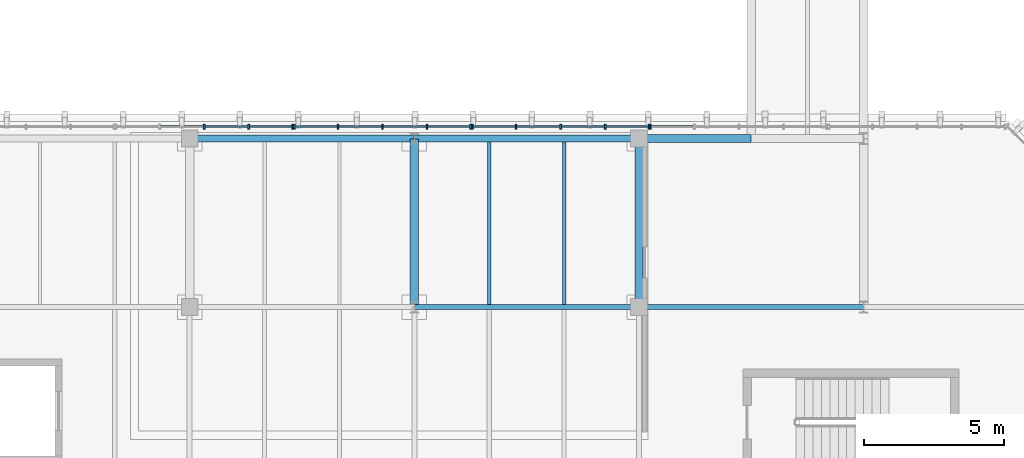
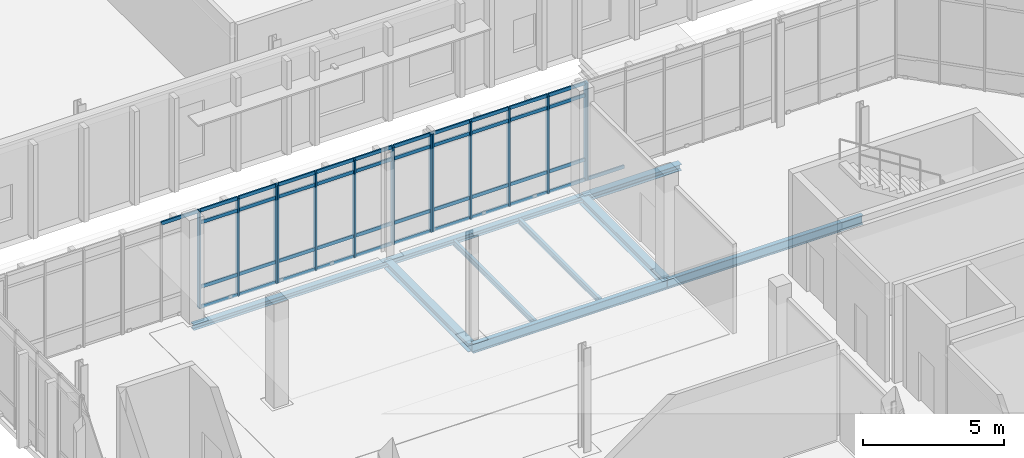
# One storey, part 16 of 62: 56 members, 9 beams, 4 elements without a shape of their own.
"""IFC4 building model written with IfcOpenShell, lengths in metres."""

import ifcopenshell
import ifcopenshell.guid

model = None  # the IFC model being written
_history = None  # IfcOwnerHistory: only IFC2X3 demands one
_inside = {}  # id of a spatial element -> (the spatial element, [elements in it])
_under = {}  # id of a project, library or spatial element -> (it, [spatial elements below it])
_declared = {}  # id of a project -> (the project, [libraries it declares])
_typed = {}  # id of a type object -> (the type object, [elements of that type])
_made_of = {}  # id of a material, layer set ... -> (it, [elements and type objects made of it])


def new_model(schema):
    """Start an empty IFC model of exactly this schema.

    Asked for "IFC4X3", IfcOpenShell would pick the latest addendum, in which some entities
    have other attributes; the version numbers below select the first issue.
    IFC2X3 requires an IfcOwnerHistory on every rooted entity: one is made here for all.
    """
    global model, _history
    if schema == "IFC4X3":
        model = ifcopenshell.file(schema_version=(4, 3, 0, 0))
    else:
        model = ifcopenshell.file(schema=schema)
    _inside.clear()
    _under.clear()
    _declared.clear()
    _typed.clear()
    _made_of.clear()
    _history = None
    if model.schema == "IFC2X3":
        org = make("IfcOrganization", Name="unknown")
        user = make(
            "IfcPersonAndOrganization",
            ThePerson=make("IfcPerson", FamilyName="unknown"),
            TheOrganization=org,
        )
        app = make(
            "IfcApplication",
            ApplicationDeveloper=org,
            Version="unknown",
            ApplicationFullName="unknown",
            ApplicationIdentifier="unknown",
        )
        _history = make(
            "IfcOwnerHistory",
            OwningUser=user,
            OwningApplication=app,
            ChangeAction="ADDED",
            CreationDate=0,
        )
    return model


def make(cls, **values):
    """One entity of the class cls with the attributes given. An attribute that is None is left unset."""
    return model.create_entity(
        cls, **{name: value for name, value in values.items() if value is not None}
    )


def rooted(cls, **values):
    """An entity with a GlobalId (a new one), such as an element, a storey or a relation."""
    return make(cls, GlobalId=ifcopenshell.guid.new(), OwnerHistory=_history, **values)


def si_unit(unit_type, name, prefix=None):
    """IfcSIUnit, for example si_unit("LENGTHUNIT", "METRE", prefix="MILLI")."""
    return make("IfcSIUnit", UnitType=unit_type, Prefix=prefix, Name=name)


def assignment(units):
    """IfcUnitAssignment: the units of a project."""
    return None if units is None else make("IfcUnitAssignment", Units=units)


def point(xyz):
    """IfcCartesianPoint."""
    return None if xyz is None else make("IfcCartesianPoint", Coordinates=xyz)


def direction(xyz):
    """IfcDirection."""
    return None if xyz is None else make("IfcDirection", DirectionRatios=xyz)


def frame(location, z_axis=None, x_axis=None):
    """IfcAxis2Placement3D, a coordinate frame: its origin and axes. An axis left out is left unset."""
    return make(
        "IfcAxis2Placement3D",
        Location=point(location),
        Axis=direction(z_axis),
        RefDirection=direction(x_axis),
    )


def frame_2d(location, x_axis=None):
    """IfcAxis2Placement2D, a coordinate frame in the plane: its origin and x axis."""
    return make(
        "IfcAxis2Placement2D", Location=point(location), RefDirection=direction(x_axis)
    )


def origin():
    """The frame at (0, 0, 0) with its axes left unset."""
    return frame((0.0, 0.0, 0.0))


def origin_2d():
    """The frame at (0, 0) in the plane with its x axis left unset."""
    return frame_2d((0.0, 0.0))


def place(relative_to, where):
    """IfcLocalPlacement: puts the frame where relative to a parent placement (None: the world)."""
    return make(
        "IfcLocalPlacement", PlacementRelTo=relative_to, RelativePlacement=where
    )


def context(
    kind, dimensions, precision=None, world=None, true_north=None, identifier=None
):
    """IfcGeometricRepresentationContext, for example the 3D "Model" context."""
    return make(
        "IfcGeometricRepresentationContext",
        ContextIdentifier=identifier,
        ContextType=kind,
        CoordinateSpaceDimension=dimensions,
        Precision=precision,
        WorldCoordinateSystem=world,
        TrueNorth=true_north,
    )


def subcontext(parent, identifier, kind, view, scale=None):
    """IfcGeometricRepresentationSubContext, for example "Body" below "Model"."""
    return make(
        "IfcGeometricRepresentationSubContext",
        ContextIdentifier=identifier,
        ContextType=kind,
        ParentContext=parent,
        TargetScale=scale,
        TargetView=view,
    )


def project(units=None, contexts=None):
    """IfcProject with its units and contexts."""
    return rooted(
        "IfcProject",
        Name="project",
        RepresentationContexts=contexts,
        UnitsInContext=assignment(units),
    )


def spatial(cls, under=None, at=None, **own):
    """A site, building, storey or space (cls), placed at a placement, below another one or the project."""
    s = rooted(cls, ObjectPlacement=at, **own)
    if under is not None:
        _under.setdefault(under.id(), (under, []))[1].append(s)
    return s


def profile(cls, at=None, kind="AREA", **sizes):
    """A parametric profile (cls). Its sizes go by their IFC names, for example OverallWidth=200.0."""
    return make(cls, ProfileType=kind, Position=at, **sizes)


def rectangle(**sizes):
    """IfcRectangleProfileDef."""
    return profile("IfcRectangleProfileDef", **sizes)


def i_section(**sizes):
    """IfcIShapeProfileDef."""
    return profile("IfcIShapeProfileDef", **sizes)


def extrude(swept, where, along, depth):
    """IfcExtrudedAreaSolid: the profile swept, set in the frame where, extruded along a direction by depth."""
    return make(
        "IfcExtrudedAreaSolid",
        SweptArea=swept,
        Position=where,
        ExtrudedDirection=direction(along),
        Depth=depth,
    )


def shape(context_of_items, identifier, shape_type, items):
    """IfcShapeRepresentation: the items that make up one representation, for example the "Body"."""
    return make(
        "IfcShapeRepresentation",
        ContextOfItems=context_of_items,
        RepresentationIdentifier=identifier,
        RepresentationType=shape_type,
        Items=items,
    )


def material(Name=None, Category=None):
    """IfcMaterial."""
    return make("IfcMaterial", Name=Name, Category=Category)


def material_profile(
    of_material, cross_section, Name=None, Category=None, Priority=None
):
    """IfcMaterialProfile: a cross section and its material."""
    return make(
        "IfcMaterialProfile",
        Name=Name,
        Material=of_material,
        Profile=cross_section,
        Priority=Priority,
        Category=Category,
    )


def profile_set(profiles, Name=None, composite=None):
    """IfcMaterialProfileSet."""
    return make(
        "IfcMaterialProfileSet",
        Name=Name,
        MaterialProfiles=profiles,
        CompositeProfile=composite,
    )


def made_of(thing, what):
    """Note that an element or type object is made of a material, layer set ...; save() writes the relation."""
    if what is not None:
        _made_of.setdefault(what.id(), (what, []))[1].append(thing)
    return thing


def type_object(cls, material=None, **own):
    """A type object (cls), such as IfcWallType, which elements share."""
    return made_of(rooted(cls, **own), material)


def element(
    cls,
    number,
    at=None,
    inside=None,
    cuts=None,
    type_object=None,
    material=None,
    context=None,
    identifier="Body",
    shape_type=None,
    held_by="IfcProductDefinitionShape",
    body=None,
    shapes=None,
    **own,
):
    """One element of the class cls, such as IfcWall. Its Tag is "e" and its number.

    at: its placement. inside: the storey or other place that contains it. cuts: it is an
    opening in that element (IfcRelVoidsElement). A single representation is given by context,
    identifier, shape_type and body (its items); several are given by shapes. held_by: the class
    of the entity that holds the representations. save() writes the other relations.
    """
    e = rooted(cls, Tag="e%d" % number, ObjectPlacement=at, **own)
    if body is not None:
        shapes = [shape(context, identifier, shape_type, body)]
    if shapes is not None:
        e.Representation = make(held_by, Representations=shapes)
    if inside is not None:
        _inside.setdefault(inside.id(), (inside, []))[1].append(e)
    if cuts is not None:
        rooted(
            "IfcRelVoidsElement", RelatingBuildingElement=cuts, RelatedOpeningElement=e
        )
    if type_object is not None:
        _typed.setdefault(type_object.id(), (type_object, []))[1].append(e)
    return made_of(e, material)


def aggregate(whole, parts):
    """IfcRelAggregates: a whole, such as a stair, and the parts it consists of."""
    return rooted("IfcRelAggregates", RelatingObject=whole, RelatedObjects=parts)


def save(model, path):
    """Write the relations noted so far, then the file.

    IfcRelAggregates (storeys below a building ...), IfcRelContainedInSpatialStructure (elements
    in a storey), IfcRelDefinesByType, IfcRelAssociatesMaterial and IfcRelDeclares: one each for
    every whole, place, type object, material and project.
    """
    for whole, parts in _under.values():
        aggregate(whole, parts)
    for where, things in _inside.values():
        rooted(
            "IfcRelContainedInSpatialStructure",
            RelatedElements=things,
            RelatingStructure=where,
        )
    for kind, things in _typed.values():
        rooted("IfcRelDefinesByType", RelatedObjects=things, RelatingType=kind)
    for what, things in _made_of.values():
        rooted("IfcRelAssociatesMaterial", RelatedObjects=things, RelatingMaterial=what)
    for by, libraries in _declared.values():
        rooted("IfcRelDeclares", RelatingContext=by, RelatedDefinitions=libraries)
    model.write(path)


model = new_model("IFC4")

# Units and contexts
model_context = context("Model", 3, precision=1e-05, world=origin(), true_north=direction((0.0, 1.0)))
body_context = subcontext(model_context, "Body", "Model", "MODEL_VIEW")
ifc_project = project(units=[si_unit("LENGTHUNIT", "METRE"), si_unit("AREAUNIT", "SQUARE_METRE"), si_unit("VOLUMEUNIT", "CUBIC_METRE"), si_unit("PLANEANGLEUNIT", "RADIAN"), si_unit("MASSUNIT", "GRAM", prefix="KILO")], contexts=[model_context])

# Site, building, storey
site_placement = place(None, origin())
site = spatial("IfcSite", under=ifc_project, at=site_placement, CompositionType="ELEMENT")
building_placement = place(site_placement, origin())
building = spatial("IfcBuilding", under=site, at=building_placement, Name="Cymarion Research Institute", CompositionType="ELEMENT")
storey_placement = place(building_placement, frame((0.0, 0.0, 18.300048828125)))
storey = spatial("IfcBuildingStorey", under=building, at=storey_placement, Name="L04", CompositionType="ELEMENT", Elevation=18.300048828125)

# Curtain wall, member
ifc_material_1 = material(Name="Anodised aluminium unitised curtain wall with Low-E glazing", Category="aluminium")
curtain_wall_type = type_object("IfcCurtainWallType", Name="UNITISED CURTAIN WALL CW42 6350X4240", PredefinedType="NOTDEFINED", material=ifc_material_1)
curtain_wall_1_placement = place(storey_placement, origin())
curtain_wall_1 = element("IfcCurtainWall", 1, at=curtain_wall_1_placement, inside=storey, type_object=curtain_wall_type, Name="L04 V4 unitised curtain wall CW42 #183", PredefinedType="NOTDEFINED")
ifc_material_2 = material(Name="Anodised aluminium framing", Category="aluminium")
ifc_material_profile_1 = material_profile(ifc_material_2, rectangle(XDim=0.06005859375, YDim=0.179931640625, at=origin_2d()), Name="ALU MULLION 60x180")
ifc_profile_set_1 = profile_set([ifc_material_profile_1], Name="Anodised aluminium framing")
member_type_1 = type_object("IfcMemberType", Name="CURTAIN WALL MULLION ML01 60X180", PredefinedType="MULLION", material=ifc_profile_set_1)
member_1_placement = place(storey_placement, frame((31.014892578125, 77.929931640625, 0.0), z_axis=(0.0, 0.0, 1.0), x_axis=(-1.0, 0.0, 0.0)))
member_1 = element("IfcMember", 2, at=member_1_placement, type_object=member_type_1, Name="CW42 mullion 5", PredefinedType="MULLION", context=body_context, shape_type="SweptSolid", body=[
    extrude(rectangle(XDim=0.06005859375, YDim=0.179931640625, at=origin_2d()), origin(), (0.0, 0.0, 1.0), 4.239990234375),
])

# Curtain wall, members
curtain_wall_2_placement = place(storey_placement, origin())
curtain_wall_2 = element("IfcCurtainWall", 3, at=curtain_wall_2_placement, inside=storey, type_object=curtain_wall_type, Name="L04 V4 unitised curtain wall CW42 #184", PredefinedType="NOTDEFINED")
member_2_placement = place(storey_placement, frame((30.954833984375, 77.929931640625, 0.0), z_axis=(0.0, 0.0, 1.0), x_axis=(-1.0, 0.0, 0.0)))
member_2 = element("IfcMember", 4, at=member_2_placement, type_object=member_type_1, Name="CW42 mullion 1", PredefinedType="MULLION", context=body_context, shape_type="SweptSolid", body=[
    extrude(rectangle(XDim=0.06005859375, YDim=0.179931640625, at=origin_2d()), origin(), (0.0, 0.0, 1.0), 4.239990234375),
])
member_3_placement = place(storey_placement, frame((29.398193359375, 77.929931640625, 0.0), z_axis=(0.0, 0.0, 1.0), x_axis=(-1.0, 0.0, 0.0)))
member_3 = element("IfcMember", 5, at=member_3_placement, type_object=member_type_1, Name="CW42 mullion 2", PredefinedType="MULLION", context=body_context, shape_type="SweptSolid", body=[
    extrude(rectangle(XDim=0.06005859375, YDim=0.179931640625, at=origin_2d()), origin(), (0.0, 0.0, 1.0), 4.239990234375),
])
member_4_placement = place(storey_placement, frame((27.811767578125, 77.929931640625, 0.0), z_axis=(0.0, 0.0, 1.0), x_axis=(-1.0, 0.0, 0.0)))
member_4 = element("IfcMember", 6, at=member_4_placement, type_object=member_type_1, Name="CW42 mullion 3", PredefinedType="MULLION", context=body_context, shape_type="SweptSolid", body=[
    extrude(rectangle(XDim=0.06005859375, YDim=0.179931640625, at=origin_2d()), origin(), (0.0, 0.0, 1.0), 4.239990234375),
])
member_5_placement = place(storey_placement, frame((26.22509765625, 77.929931640625, 0.0), z_axis=(0.0, 0.0, 1.0), x_axis=(-1.0, 0.0, 0.0)))
member_5 = element("IfcMember", 7, at=member_5_placement, type_object=member_type_1, Name="CW42 mullion 4", PredefinedType="MULLION", context=body_context, shape_type="SweptSolid", body=[
    extrude(rectangle(XDim=0.06005859375, YDim=0.179931640625, at=origin_2d()), origin(), (0.0, 0.0, 1.0), 4.239990234375),
])
member_6_placement = place(storey_placement, frame((24.668701171875, 77.929931640625, 0.0), z_axis=(0.0, 0.0, 1.0), x_axis=(-1.0, 0.0, 0.0)))
member_6 = element("IfcMember", 8, at=member_6_placement, type_object=member_type_1, Name="CW42 mullion 5", PredefinedType="MULLION", context=body_context, shape_type="SweptSolid", body=[
    extrude(rectangle(XDim=0.06005859375, YDim=0.179931640625, at=origin_2d()), origin(), (0.0, 0.0, 1.0), 4.239990234375),
])

curtain_wall_3_placement = place(storey_placement, origin())
curtain_wall_3 = element("IfcCurtainWall", 9, at=curtain_wall_3_placement, inside=storey, type_object=curtain_wall_type, Name="L04 V4 unitised curtain wall CW42 #185", PredefinedType="NOTDEFINED")
member_7_placement = place(storey_placement, frame((24.608642578125, 77.929931640625, 0.0), z_axis=(0.0, 0.0, 1.0), x_axis=(-1.0, 0.0, 0.0)))
member_7 = element("IfcMember", 10, at=member_7_placement, type_object=member_type_1, Name="CW42 mullion 1", PredefinedType="MULLION", context=body_context, shape_type="SweptSolid", body=[
    extrude(rectangle(XDim=0.06005859375, YDim=0.179931640625, at=origin_2d()), origin(), (0.0, 0.0, 1.0), 4.239990234375),
])
member_8_placement = place(storey_placement, frame((23.052001953125, 77.929931640625, 0.0), z_axis=(0.0, 0.0, 1.0), x_axis=(-1.0, 0.0, 0.0)))
member_8 = element("IfcMember", 11, at=member_8_placement, type_object=member_type_1, Name="CW42 mullion 2", PredefinedType="MULLION", context=body_context, shape_type="SweptSolid", body=[
    extrude(rectangle(XDim=0.06005859375, YDim=0.179931640625, at=origin_2d()), origin(), (0.0, 0.0, 1.0), 4.239990234375),
])
member_9_placement = place(storey_placement, frame((21.465576171875, 77.929931640625, 0.0), z_axis=(0.0, 0.0, 1.0), x_axis=(-1.0, 0.0, 0.0)))
member_9 = element("IfcMember", 12, at=member_9_placement, type_object=member_type_1, Name="CW42 mullion 3", PredefinedType="MULLION", context=body_context, shape_type="SweptSolid", body=[
    extrude(rectangle(XDim=0.06005859375, YDim=0.179931640625, at=origin_2d()), origin(), (0.0, 0.0, 1.0), 4.239990234375),
])
member_10_placement = place(storey_placement, frame((19.87890625, 77.929931640625, 0.0), z_axis=(0.0, 0.0, 1.0), x_axis=(-1.0, 0.0, 0.0)))
member_10 = element("IfcMember", 13, at=member_10_placement, type_object=member_type_1, Name="CW42 mullion 4", PredefinedType="MULLION", context=body_context, shape_type="SweptSolid", body=[
    extrude(rectangle(XDim=0.06005859375, YDim=0.179931640625, at=origin_2d()), origin(), (0.0, 0.0, 1.0), 4.239990234375),
])
member_11_placement = place(storey_placement, frame((18.322509765625, 77.929931640625, 0.0), z_axis=(0.0, 0.0, 1.0), x_axis=(-1.0, 0.0, 0.0)))
member_11 = element("IfcMember", 14, at=member_11_placement, type_object=member_type_1, Name="CW42 mullion 5", PredefinedType="MULLION", context=body_context, shape_type="SweptSolid", body=[
    extrude(rectangle(XDim=0.06005859375, YDim=0.179931640625, at=origin_2d()), origin(), (0.0, 0.0, 1.0), 4.239990234375),
])

curtain_wall_4_placement = place(storey_placement, origin())
curtain_wall_4 = element("IfcCurtainWall", 15, at=curtain_wall_4_placement, inside=storey, type_object=curtain_wall_type, Name="L04 V4 unitised curtain wall CW42 #186", PredefinedType="NOTDEFINED")
member_12_placement = place(storey_placement, frame((18.262451171875, 77.929931640625, 0.0), z_axis=(0.0, 0.0, 1.0), x_axis=(-1.0, 0.0, 0.0)))
member_12 = element("IfcMember", 16, at=member_12_placement, type_object=member_type_1, Name="CW42 mullion 1", PredefinedType="MULLION", context=body_context, shape_type="SweptSolid", body=[
    extrude(rectangle(XDim=0.06005859375, YDim=0.179931640625, at=origin_2d()), origin(), (0.0, 0.0, 1.0), 4.239990234375),
])
member_13_placement = place(storey_placement, frame((16.705810546875, 77.929931640625, 0.0), z_axis=(0.0, 0.0, 1.0), x_axis=(-1.0, 0.0, 0.0)))
member_13 = element("IfcMember", 17, at=member_13_placement, type_object=member_type_1, Name="CW42 mullion 2", PredefinedType="MULLION", context=body_context, shape_type="SweptSolid", body=[
    extrude(rectangle(XDim=0.06005859375, YDim=0.179931640625, at=origin_2d()), origin(), (0.0, 0.0, 1.0), 4.239990234375),
])
member_14_placement = place(storey_placement, frame((15.119384765625, 77.929931640625, 0.0), z_axis=(0.0, 0.0, 1.0), x_axis=(-1.0, 0.0, 0.0)))
member_14 = element("IfcMember", 18, at=member_14_placement, type_object=member_type_1, Name="CW42 mullion 3", PredefinedType="MULLION", context=body_context, shape_type="SweptSolid", body=[
    extrude(rectangle(XDim=0.06005859375, YDim=0.179931640625, at=origin_2d()), origin(), (0.0, 0.0, 1.0), 4.239990234375),
])

# Member
ifc_material_profile_2 = material_profile(ifc_material_2, rectangle(XDim=0.06005859375, YDim=0.14990234375, at=origin_2d()), Name="ALU TRANSOM 60x150")
ifc_profile_set_2 = profile_set([ifc_material_profile_2], Name="Anodised aluminium framing")
member_type_2 = type_object("IfcMemberType", Name="CURTAIN WALL TRANSOM TR01 60X150", PredefinedType="USERDEFINED", material=ifc_profile_set_2)
member_15_placement = place(storey_placement, frame((32.541259765625, 77.929931640625, 0.030029296875), z_axis=(-1.0, 0.0, 0.0), x_axis=(0.0, -1.0, 0.0)))
member_15 = element("IfcMember", 19, at=member_15_placement, type_object=member_type_2, Name="CW42 transom 4.1", ObjectType="TRANSOM", PredefinedType="USERDEFINED", context=body_context, shape_type="SweptSolid", body=[
    extrude(rectangle(XDim=0.06005859375, YDim=0.14990234375, at=origin_2d()), origin(), (0.0, 0.0, 1.0), 1.496337890625),
])

aggregate(curtain_wall_1, [member_1, member_15])

member_16_placement = place(storey_placement, frame((30.9248046875, 77.929931640625, 0.030029296875), z_axis=(-1.0, 0.0, 0.0), x_axis=(0.0, -1.0, 0.0)))
member_16 = element("IfcMember", 20, at=member_16_placement, type_object=member_type_2, Name="CW42 transom 1.1", ObjectType="TRANSOM", PredefinedType="USERDEFINED", context=body_context, shape_type="SweptSolid", body=[
    extrude(rectangle(XDim=0.06005859375, YDim=0.14990234375, at=origin_2d()), origin(), (0.0, 0.0, 1.0), 1.49658203125),
])

member_17_placement = place(storey_placement, frame((30.9248046875, 77.929931640625, 0.89990234375), z_axis=(-1.0, 0.0, 0.0), x_axis=(0.0, -1.0, 0.0)))
member_17 = element("IfcMember", 21, at=member_17_placement, type_object=member_type_2, Name="CW42 transom 1.2", ObjectType="TRANSOM", PredefinedType="USERDEFINED", context=body_context, shape_type="SweptSolid", body=[
    extrude(rectangle(XDim=0.06005859375, YDim=0.14990234375, at=origin_2d()), origin(), (0.0, 0.0, 1.0), 1.49658203125),
])

member_18_placement = place(storey_placement, frame((30.9248046875, 77.929931640625, 3.68994140625), z_axis=(-1.0, 0.0, 0.0), x_axis=(0.0, -1.0, 0.0)))
member_18 = element("IfcMember", 22, at=member_18_placement, type_object=member_type_2, Name="CW42 transom 1.3", ObjectType="TRANSOM", PredefinedType="USERDEFINED", context=body_context, shape_type="SweptSolid", body=[
    extrude(rectangle(XDim=0.06005859375, YDim=0.14990234375, at=origin_2d()), origin(), (0.0, 0.0, 1.0), 1.49658203125),
])

member_19_placement = place(storey_placement, frame((30.9248046875, 77.929931640625, 4.2099609375), z_axis=(-1.0, 0.0, 0.0), x_axis=(0.0, -1.0, 0.0)))
member_19 = element("IfcMember", 23, at=member_19_placement, type_object=member_type_2, Name="CW42 transom 1.4", ObjectType="TRANSOM", PredefinedType="USERDEFINED", context=body_context, shape_type="SweptSolid", body=[
    extrude(rectangle(XDim=0.06005859375, YDim=0.14990234375, at=origin_2d()), origin(), (0.0, 0.0, 1.0), 1.49658203125),
])

member_20_placement = place(storey_placement, frame((29.3681640625, 77.929931640625, 0.030029296875), z_axis=(-1.0, 0.0, 0.0), x_axis=(0.0, -1.0, 0.0)))
member_20 = element("IfcMember", 24, at=member_20_placement, type_object=member_type_2, Name="CW42 transom 2.1", ObjectType="TRANSOM", PredefinedType="USERDEFINED", context=body_context, shape_type="SweptSolid", body=[
    extrude(rectangle(XDim=0.06005859375, YDim=0.14990234375, at=origin_2d()), origin(), (0.0, 0.0, 1.0), 1.5263671875),
])

member_21_placement = place(storey_placement, frame((29.3681640625, 77.929931640625, 0.89990234375), z_axis=(-1.0, 0.0, 0.0), x_axis=(0.0, -1.0, 0.0)))
member_21 = element("IfcMember", 25, at=member_21_placement, type_object=member_type_2, Name="CW42 transom 2.2", ObjectType="TRANSOM", PredefinedType="USERDEFINED", context=body_context, shape_type="SweptSolid", body=[
    extrude(rectangle(XDim=0.06005859375, YDim=0.14990234375, at=origin_2d()), origin(), (0.0, 0.0, 1.0), 1.5263671875),
])

member_22_placement = place(storey_placement, frame((29.3681640625, 77.929931640625, 3.68994140625), z_axis=(-1.0, 0.0, 0.0), x_axis=(0.0, -1.0, 0.0)))
member_22 = element("IfcMember", 26, at=member_22_placement, type_object=member_type_2, Name="CW42 transom 2.3", ObjectType="TRANSOM", PredefinedType="USERDEFINED", context=body_context, shape_type="SweptSolid", body=[
    extrude(rectangle(XDim=0.06005859375, YDim=0.14990234375, at=origin_2d()), origin(), (0.0, 0.0, 1.0), 1.5263671875),
])

member_23_placement = place(storey_placement, frame((29.3681640625, 77.929931640625, 4.2099609375), z_axis=(-1.0, 0.0, 0.0), x_axis=(0.0, -1.0, 0.0)))
member_23 = element("IfcMember", 27, at=member_23_placement, type_object=member_type_2, Name="CW42 transom 2.4", ObjectType="TRANSOM", PredefinedType="USERDEFINED", context=body_context, shape_type="SweptSolid", body=[
    extrude(rectangle(XDim=0.06005859375, YDim=0.14990234375, at=origin_2d()), origin(), (0.0, 0.0, 1.0), 1.5263671875),
])

member_24_placement = place(storey_placement, frame((27.78173828125, 77.929931640625, 0.030029296875), z_axis=(-1.0, 0.0, 0.0), x_axis=(0.0, -1.0, 0.0)))
member_24 = element("IfcMember", 28, at=member_24_placement, type_object=member_type_2, Name="CW42 transom 3.1", ObjectType="TRANSOM", PredefinedType="USERDEFINED", context=body_context, shape_type="SweptSolid", body=[
    extrude(rectangle(XDim=0.06005859375, YDim=0.14990234375, at=origin_2d()), origin(), (0.0, 0.0, 1.0), 1.526611328125),
])

member_25_placement = place(storey_placement, frame((27.78173828125, 77.929931640625, 0.89990234375), z_axis=(-1.0, 0.0, 0.0), x_axis=(0.0, -1.0, 0.0)))
member_25 = element("IfcMember", 29, at=member_25_placement, type_object=member_type_2, Name="CW42 transom 3.2", ObjectType="TRANSOM", PredefinedType="USERDEFINED", context=body_context, shape_type="SweptSolid", body=[
    extrude(rectangle(XDim=0.06005859375, YDim=0.14990234375, at=origin_2d()), origin(), (0.0, 0.0, 1.0), 1.526611328125),
])

member_26_placement = place(storey_placement, frame((27.78173828125, 77.929931640625, 3.68994140625), z_axis=(-1.0, 0.0, 0.0), x_axis=(0.0, -1.0, 0.0)))
member_26 = element("IfcMember", 30, at=member_26_placement, type_object=member_type_2, Name="CW42 transom 3.3", ObjectType="TRANSOM", PredefinedType="USERDEFINED", context=body_context, shape_type="SweptSolid", body=[
    extrude(rectangle(XDim=0.06005859375, YDim=0.14990234375, at=origin_2d()), origin(), (0.0, 0.0, 1.0), 1.526611328125),
])

member_27_placement = place(storey_placement, frame((27.78173828125, 77.929931640625, 4.2099609375), z_axis=(-1.0, 0.0, 0.0), x_axis=(0.0, -1.0, 0.0)))
member_27 = element("IfcMember", 31, at=member_27_placement, type_object=member_type_2, Name="CW42 transom 3.4", ObjectType="TRANSOM", PredefinedType="USERDEFINED", context=body_context, shape_type="SweptSolid", body=[
    extrude(rectangle(XDim=0.06005859375, YDim=0.14990234375, at=origin_2d()), origin(), (0.0, 0.0, 1.0), 1.526611328125),
])

member_28_placement = place(storey_placement, frame((26.195068359375, 77.929931640625, 0.030029296875), z_axis=(-1.0, 0.0, 0.0), x_axis=(0.0, -1.0, 0.0)))
member_28 = element("IfcMember", 32, at=member_28_placement, type_object=member_type_2, Name="CW42 transom 4.1", ObjectType="TRANSOM", PredefinedType="USERDEFINED", context=body_context, shape_type="SweptSolid", body=[
    extrude(rectangle(XDim=0.06005859375, YDim=0.14990234375, at=origin_2d()), origin(), (0.0, 0.0, 1.0), 1.49658203125),
])

member_29_placement = place(storey_placement, frame((26.195068359375, 77.929931640625, 0.89990234375), z_axis=(-1.0, 0.0, 0.0), x_axis=(0.0, -1.0, 0.0)))
member_29 = element("IfcMember", 33, at=member_29_placement, type_object=member_type_2, Name="CW42 transom 4.2", ObjectType="TRANSOM", PredefinedType="USERDEFINED", context=body_context, shape_type="SweptSolid", body=[
    extrude(rectangle(XDim=0.06005859375, YDim=0.14990234375, at=origin_2d()), origin(), (0.0, 0.0, 1.0), 1.49658203125),
])

member_30_placement = place(storey_placement, frame((26.195068359375, 77.929931640625, 3.68994140625), z_axis=(-1.0, 0.0, 0.0), x_axis=(0.0, -1.0, 0.0)))
member_30 = element("IfcMember", 34, at=member_30_placement, type_object=member_type_2, Name="CW42 transom 4.3", ObjectType="TRANSOM", PredefinedType="USERDEFINED", context=body_context, shape_type="SweptSolid", body=[
    extrude(rectangle(XDim=0.06005859375, YDim=0.14990234375, at=origin_2d()), origin(), (0.0, 0.0, 1.0), 1.49658203125),
])

member_31_placement = place(storey_placement, frame((26.195068359375, 77.929931640625, 4.2099609375), z_axis=(-1.0, 0.0, 0.0), x_axis=(0.0, -1.0, 0.0)))
member_31 = element("IfcMember", 35, at=member_31_placement, type_object=member_type_2, Name="CW42 transom 4.4", ObjectType="TRANSOM", PredefinedType="USERDEFINED", context=body_context, shape_type="SweptSolid", body=[
    extrude(rectangle(XDim=0.06005859375, YDim=0.14990234375, at=origin_2d()), origin(), (0.0, 0.0, 1.0), 1.49658203125),
])

aggregate(curtain_wall_2, [member_2, member_3, member_4, member_5, member_6, member_16, member_17, member_18, member_19, member_20, member_21, member_22, member_23, member_24, member_25, member_26, member_27, member_28, member_29, member_30, member_31])

member_32_placement = place(storey_placement, frame((24.57861328125, 77.929931640625, 0.030029296875), z_axis=(-1.0, 0.0, 0.0), x_axis=(0.0, -1.0, 0.0)))
member_32 = element("IfcMember", 36, at=member_32_placement, type_object=member_type_2, Name="CW42 transom 1.1", ObjectType="TRANSOM", PredefinedType="USERDEFINED", context=body_context, shape_type="SweptSolid", body=[
    extrude(rectangle(XDim=0.06005859375, YDim=0.14990234375, at=origin_2d()), origin(), (0.0, 0.0, 1.0), 1.49658203125),
])

member_33_placement = place(storey_placement, frame((24.57861328125, 77.929931640625, 0.89990234375), z_axis=(-1.0, 0.0, 0.0), x_axis=(0.0, -1.0, 0.0)))
member_33 = element("IfcMember", 37, at=member_33_placement, type_object=member_type_2, Name="CW42 transom 1.2", ObjectType="TRANSOM", PredefinedType="USERDEFINED", context=body_context, shape_type="SweptSolid", body=[
    extrude(rectangle(XDim=0.06005859375, YDim=0.14990234375, at=origin_2d()), origin(), (0.0, 0.0, 1.0), 1.49658203125),
])

member_34_placement = place(storey_placement, frame((24.57861328125, 77.929931640625, 3.68994140625), z_axis=(-1.0, 0.0, 0.0), x_axis=(0.0, -1.0, 0.0)))
member_34 = element("IfcMember", 38, at=member_34_placement, type_object=member_type_2, Name="CW42 transom 1.3", ObjectType="TRANSOM", PredefinedType="USERDEFINED", context=body_context, shape_type="SweptSolid", body=[
    extrude(rectangle(XDim=0.06005859375, YDim=0.14990234375, at=origin_2d()), origin(), (0.0, 0.0, 1.0), 1.49658203125),
])

member_35_placement = place(storey_placement, frame((24.57861328125, 77.929931640625, 4.2099609375), z_axis=(-1.0, 0.0, 0.0), x_axis=(0.0, -1.0, 0.0)))
member_35 = element("IfcMember", 39, at=member_35_placement, type_object=member_type_2, Name="CW42 transom 1.4", ObjectType="TRANSOM", PredefinedType="USERDEFINED", context=body_context, shape_type="SweptSolid", body=[
    extrude(rectangle(XDim=0.06005859375, YDim=0.14990234375, at=origin_2d()), origin(), (0.0, 0.0, 1.0), 1.49658203125),
])

member_36_placement = place(storey_placement, frame((23.02197265625, 77.929931640625, 0.030029296875), z_axis=(-1.0, 0.0, 0.0), x_axis=(0.0, -1.0, 0.0)))
member_36 = element("IfcMember", 40, at=member_36_placement, type_object=member_type_2, Name="CW42 transom 2.1", ObjectType="TRANSOM", PredefinedType="USERDEFINED", context=body_context, shape_type="SweptSolid", body=[
    extrude(rectangle(XDim=0.06005859375, YDim=0.14990234375, at=origin_2d()), origin(), (0.0, 0.0, 1.0), 1.5263671875),
])

member_37_placement = place(storey_placement, frame((23.02197265625, 77.929931640625, 0.89990234375), z_axis=(-1.0, 0.0, 0.0), x_axis=(0.0, -1.0, 0.0)))
member_37 = element("IfcMember", 41, at=member_37_placement, type_object=member_type_2, Name="CW42 transom 2.2", ObjectType="TRANSOM", PredefinedType="USERDEFINED", context=body_context, shape_type="SweptSolid", body=[
    extrude(rectangle(XDim=0.06005859375, YDim=0.14990234375, at=origin_2d()), origin(), (0.0, 0.0, 1.0), 1.5263671875),
])

member_38_placement = place(storey_placement, frame((23.02197265625, 77.929931640625, 3.68994140625), z_axis=(-1.0, 0.0, 0.0), x_axis=(0.0, -1.0, 0.0)))
member_38 = element("IfcMember", 42, at=member_38_placement, type_object=member_type_2, Name="CW42 transom 2.3", ObjectType="TRANSOM", PredefinedType="USERDEFINED", context=body_context, shape_type="SweptSolid", body=[
    extrude(rectangle(XDim=0.06005859375, YDim=0.14990234375, at=origin_2d()), origin(), (0.0, 0.0, 1.0), 1.5263671875),
])

member_39_placement = place(storey_placement, frame((23.02197265625, 77.929931640625, 4.2099609375), z_axis=(-1.0, 0.0, 0.0), x_axis=(0.0, -1.0, 0.0)))
member_39 = element("IfcMember", 43, at=member_39_placement, type_object=member_type_2, Name="CW42 transom 2.4", ObjectType="TRANSOM", PredefinedType="USERDEFINED", context=body_context, shape_type="SweptSolid", body=[
    extrude(rectangle(XDim=0.06005859375, YDim=0.14990234375, at=origin_2d()), origin(), (0.0, 0.0, 1.0), 1.5263671875),
])

member_40_placement = place(storey_placement, frame((21.435546875, 77.929931640625, 0.030029296875), z_axis=(-1.0, 0.0, 0.0), x_axis=(0.0, -1.0, 0.0)))
member_40 = element("IfcMember", 44, at=member_40_placement, type_object=member_type_2, Name="CW42 transom 3.1", ObjectType="TRANSOM", PredefinedType="USERDEFINED", context=body_context, shape_type="SweptSolid", body=[
    extrude(rectangle(XDim=0.06005859375, YDim=0.14990234375, at=origin_2d()), origin(), (0.0, 0.0, 1.0), 1.526611328125),
])

member_41_placement = place(storey_placement, frame((21.435546875, 77.929931640625, 0.89990234375), z_axis=(-1.0, 0.0, 0.0), x_axis=(0.0, -1.0, 0.0)))
member_41 = element("IfcMember", 45, at=member_41_placement, type_object=member_type_2, Name="CW42 transom 3.2", ObjectType="TRANSOM", PredefinedType="USERDEFINED", context=body_context, shape_type="SweptSolid", body=[
    extrude(rectangle(XDim=0.06005859375, YDim=0.14990234375, at=origin_2d()), origin(), (0.0, 0.0, 1.0), 1.526611328125),
])

member_42_placement = place(storey_placement, frame((21.435546875, 77.929931640625, 3.68994140625), z_axis=(-1.0, 0.0, 0.0), x_axis=(0.0, -1.0, 0.0)))
member_42 = element("IfcMember", 46, at=member_42_placement, type_object=member_type_2, Name="CW42 transom 3.3", ObjectType="TRANSOM", PredefinedType="USERDEFINED", context=body_context, shape_type="SweptSolid", body=[
    extrude(rectangle(XDim=0.06005859375, YDim=0.14990234375, at=origin_2d()), origin(), (0.0, 0.0, 1.0), 1.526611328125),
])

member_43_placement = place(storey_placement, frame((21.435546875, 77.929931640625, 4.2099609375), z_axis=(-1.0, 0.0, 0.0), x_axis=(0.0, -1.0, 0.0)))
member_43 = element("IfcMember", 47, at=member_43_placement, type_object=member_type_2, Name="CW42 transom 3.4", ObjectType="TRANSOM", PredefinedType="USERDEFINED", context=body_context, shape_type="SweptSolid", body=[
    extrude(rectangle(XDim=0.06005859375, YDim=0.14990234375, at=origin_2d()), origin(), (0.0, 0.0, 1.0), 1.526611328125),
])

member_44_placement = place(storey_placement, frame((19.848876953125, 77.929931640625, 0.030029296875), z_axis=(-1.0, 0.0, 0.0), x_axis=(0.0, -1.0, 0.0)))
member_44 = element("IfcMember", 48, at=member_44_placement, type_object=member_type_2, Name="CW42 transom 4.1", ObjectType="TRANSOM", PredefinedType="USERDEFINED", context=body_context, shape_type="SweptSolid", body=[
    extrude(rectangle(XDim=0.06005859375, YDim=0.14990234375, at=origin_2d()), origin(), (0.0, 0.0, 1.0), 1.49658203125),
])

member_45_placement = place(storey_placement, frame((19.848876953125, 77.929931640625, 0.89990234375), z_axis=(-1.0, 0.0, 0.0), x_axis=(0.0, -1.0, 0.0)))
member_45 = element("IfcMember", 49, at=member_45_placement, type_object=member_type_2, Name="CW42 transom 4.2", ObjectType="TRANSOM", PredefinedType="USERDEFINED", context=body_context, shape_type="SweptSolid", body=[
    extrude(rectangle(XDim=0.06005859375, YDim=0.14990234375, at=origin_2d()), origin(), (0.0, 0.0, 1.0), 1.49658203125),
])

member_46_placement = place(storey_placement, frame((19.848876953125, 77.929931640625, 3.68994140625), z_axis=(-1.0, 0.0, 0.0), x_axis=(0.0, -1.0, 0.0)))
member_46 = element("IfcMember", 50, at=member_46_placement, type_object=member_type_2, Name="CW42 transom 4.3", ObjectType="TRANSOM", PredefinedType="USERDEFINED", context=body_context, shape_type="SweptSolid", body=[
    extrude(rectangle(XDim=0.06005859375, YDim=0.14990234375, at=origin_2d()), origin(), (0.0, 0.0, 1.0), 1.49658203125),
])

member_47_placement = place(storey_placement, frame((19.848876953125, 77.929931640625, 4.2099609375), z_axis=(-1.0, 0.0, 0.0), x_axis=(0.0, -1.0, 0.0)))
member_47 = element("IfcMember", 51, at=member_47_placement, type_object=member_type_2, Name="CW42 transom 4.4", ObjectType="TRANSOM", PredefinedType="USERDEFINED", context=body_context, shape_type="SweptSolid", body=[
    extrude(rectangle(XDim=0.06005859375, YDim=0.14990234375, at=origin_2d()), origin(), (0.0, 0.0, 1.0), 1.49658203125),
])

aggregate(curtain_wall_3, [member_7, member_8, member_9, member_10, member_11, member_32, member_33, member_34, member_35, member_36, member_37, member_38, member_39, member_40, member_41, member_42, member_43, member_44, member_45, member_46, member_47])

member_48_placement = place(storey_placement, frame((18.232421875, 77.929931640625, 0.030029296875), z_axis=(-1.0, 0.0, 0.0), x_axis=(0.0, -1.0, 0.0)))
member_48 = element("IfcMember", 52, at=member_48_placement, type_object=member_type_2, Name="CW42 transom 1.1", ObjectType="TRANSOM", PredefinedType="USERDEFINED", context=body_context, shape_type="SweptSolid", body=[
    extrude(rectangle(XDim=0.06005859375, YDim=0.14990234375, at=origin_2d()), origin(), (0.0, 0.0, 1.0), 1.49658203125),
])

member_49_placement = place(storey_placement, frame((18.232421875, 77.929931640625, 0.89990234375), z_axis=(-1.0, 0.0, 0.0), x_axis=(0.0, -1.0, 0.0)))
member_49 = element("IfcMember", 53, at=member_49_placement, type_object=member_type_2, Name="CW42 transom 1.2", ObjectType="TRANSOM", PredefinedType="USERDEFINED", context=body_context, shape_type="SweptSolid", body=[
    extrude(rectangle(XDim=0.06005859375, YDim=0.14990234375, at=origin_2d()), origin(), (0.0, 0.0, 1.0), 1.49658203125),
])

member_50_placement = place(storey_placement, frame((18.232421875, 77.929931640625, 3.68994140625), z_axis=(-1.0, 0.0, 0.0), x_axis=(0.0, -1.0, 0.0)))
member_50 = element("IfcMember", 54, at=member_50_placement, type_object=member_type_2, Name="CW42 transom 1.3", ObjectType="TRANSOM", PredefinedType="USERDEFINED", context=body_context, shape_type="SweptSolid", body=[
    extrude(rectangle(XDim=0.06005859375, YDim=0.14990234375, at=origin_2d()), origin(), (0.0, 0.0, 1.0), 1.49658203125),
])

member_51_placement = place(storey_placement, frame((18.232421875, 77.929931640625, 4.2099609375), z_axis=(-1.0, 0.0, 0.0), x_axis=(0.0, -1.0, 0.0)))
member_51 = element("IfcMember", 55, at=member_51_placement, type_object=member_type_2, Name="CW42 transom 1.4", ObjectType="TRANSOM", PredefinedType="USERDEFINED", context=body_context, shape_type="SweptSolid", body=[
    extrude(rectangle(XDim=0.06005859375, YDim=0.14990234375, at=origin_2d()), origin(), (0.0, 0.0, 1.0), 1.49658203125),
])

member_52_placement = place(storey_placement, frame((16.67578125, 77.929931640625, 0.030029296875), z_axis=(-1.0, 0.0, 0.0), x_axis=(0.0, -1.0, 0.0)))
member_52 = element("IfcMember", 56, at=member_52_placement, type_object=member_type_2, Name="CW42 transom 2.1", ObjectType="TRANSOM", PredefinedType="USERDEFINED", context=body_context, shape_type="SweptSolid", body=[
    extrude(rectangle(XDim=0.06005859375, YDim=0.14990234375, at=origin_2d()), origin(), (0.0, 0.0, 1.0), 1.5263671875),
])

member_53_placement = place(storey_placement, frame((16.67578125, 77.929931640625, 0.89990234375), z_axis=(-1.0, 0.0, 0.0), x_axis=(0.0, -1.0, 0.0)))
member_53 = element("IfcMember", 57, at=member_53_placement, type_object=member_type_2, Name="CW42 transom 2.2", ObjectType="TRANSOM", PredefinedType="USERDEFINED", context=body_context, shape_type="SweptSolid", body=[
    extrude(rectangle(XDim=0.06005859375, YDim=0.14990234375, at=origin_2d()), origin(), (0.0, 0.0, 1.0), 1.5263671875),
])

member_54_placement = place(storey_placement, frame((16.67578125, 77.929931640625, 3.68994140625), z_axis=(-1.0, 0.0, 0.0), x_axis=(0.0, -1.0, 0.0)))
member_54 = element("IfcMember", 58, at=member_54_placement, type_object=member_type_2, Name="CW42 transom 2.3", ObjectType="TRANSOM", PredefinedType="USERDEFINED", context=body_context, shape_type="SweptSolid", body=[
    extrude(rectangle(XDim=0.06005859375, YDim=0.14990234375, at=origin_2d()), origin(), (0.0, 0.0, 1.0), 1.5263671875),
])

member_55_placement = place(storey_placement, frame((16.67578125, 77.929931640625, 4.2099609375), z_axis=(-1.0, 0.0, 0.0), x_axis=(0.0, -1.0, 0.0)))
member_55 = element("IfcMember", 59, at=member_55_placement, type_object=member_type_2, Name="CW42 transom 2.4", ObjectType="TRANSOM", PredefinedType="USERDEFINED", context=body_context, shape_type="SweptSolid", body=[
    extrude(rectangle(XDim=0.06005859375, YDim=0.14990234375, at=origin_2d()), origin(), (0.0, 0.0, 1.0), 1.5263671875),
])

member_56_placement = place(storey_placement, frame((15.08935546875, 77.929931640625, 4.2099609375), z_axis=(-1.0, 0.0, 0.0), x_axis=(0.0, -1.0, 0.0)))
member_56 = element("IfcMember", 60, at=member_56_placement, type_object=member_type_2, Name="CW42 transom 3.4", ObjectType="TRANSOM", PredefinedType="USERDEFINED", context=body_context, shape_type="SweptSolid", body=[
    extrude(rectangle(XDim=0.06005859375, YDim=0.14990234375, at=origin_2d()), origin(), (0.0, 0.0, 1.0), 1.526611328125),
])

aggregate(curtain_wall_4, [member_12, member_13, member_14, member_48, member_49, member_50, member_51, member_52, member_53, member_54, member_55, member_56])

# Beams
ifc_material_3 = material(Name="Steel S355", Category="steel")
ifc_material_profile_3 = material_profile(ifc_material_3, i_section(OverallWidth=0.179931640625, OverallDepth=0.39990234375, WebThickness=0.008544921875, FlangeThickness=0.013427734375, FilletRadius=0.02099609375, at=origin_2d()), Name="IPE 400")
ifc_profile_set_3 = profile_set([ifc_material_profile_3], Name="Steel S355")
beam_type_1 = type_object("IfcBeamType", Name="PRIMARY GIRDER BM05 IPE 400", PredefinedType="BEAM", material=ifc_profile_set_3)
for number, where, z_axis, x_axis, name in (
    (61, (22.60595703125, 71.5, -0.449951171875), (1.0, 0.0, 0.0), (0.0, 1.0, 0.0), "L04 V4 girder BM05 #1718"),
    (62, (30.60595703125, 71.5, -0.449951171875), (1.0, 0.0, 0.0), (0.0, 1.0, 0.0), "L04 V4 girder BM05 #1719"),
):
    element("IfcBeam", number, at=place(storey_placement, frame(where, z_axis=z_axis, x_axis=x_axis)), inside=storey, type_object=beam_type_1, Name=name, PredefinedType="BEAM", context=body_context, shape_type="SweptSolid", body=[
        extrude(i_section(OverallWidth=0.179931640625, OverallDepth=0.39990234375, WebThickness=0.008544921875, FlangeThickness=0.013427734375, FilletRadius=0.02099609375, at=origin_2d()), origin(), (0.0, 0.0, 1.0), 7.988037109375),
    ])
ifc_material_profile_4 = material_profile(ifc_material_3, i_section(OverallWidth=0.300048828125, OverallDepth=0.35009765625, WebThickness=0.010009765625, FlangeThickness=0.017578125, FilletRadius=0.027099609375, at=origin_2d()), Name="HEA 360")
ifc_profile_set_4 = profile_set([ifc_material_profile_4], Name="Steel S355")
beam_type_2 = type_object("IfcBeamType", Name="PRIMARY GIRDER BM12 HEA 360", PredefinedType="BEAM", material=ifc_profile_set_4)
for number, where, z_axis, x_axis, name in (
    (63, (22.60009765625, 71.506103515625, -0.425048828125), (0.0, 1.0, 0.0), (-1.0, 0.0, 0.0), "L04 V4 girder BM12 #1738"),
    (64, (30.60009765625, 71.506103515625, -0.425048828125), (0.0, 1.0, 0.0), (-1.0, 0.0, 0.0), "L04 V4 girder BM12 #1742"),
):
    element("IfcBeam", number, at=place(storey_placement, frame(where, z_axis=z_axis, x_axis=x_axis)), inside=storey, type_object=beam_type_2, Name=name, PredefinedType="BEAM", context=body_context, shape_type="SweptSolid", body=[
        extrude(i_section(OverallWidth=0.300048828125, OverallDepth=0.35009765625, WebThickness=0.010009765625, FlangeThickness=0.017578125, FilletRadius=0.027099609375, at=origin_2d()), origin(), (0.0, 0.0, 1.0), 5.98779296875),
    ])
ifc_material_profile_5 = material_profile(ifc_material_3, i_section(OverallWidth=0.1201171875, OverallDepth=0.239990234375, WebThickness=0.006103515625, FlangeThickness=0.009765625, FilletRadius=0.014892578125, at=origin_2d()), Name="IPE 240")
ifc_profile_set_5 = profile_set([ifc_material_profile_5], Name="Steel S355")
beam_type_3 = type_object("IfcBeamType", Name="SECONDARY JOIST JS04 IPE 240", PredefinedType="JOIST", material=ifc_profile_set_5)
for number, where, z_axis, x_axis, name in (
    (65, (25.2666015625, 71.593994140625, -0.3701171875), (0.0, 1.0, 0.0), (-1.0, 0.0, 0.0), "L04 V4 secondary joist JS04 #1771"),
    (66, (27.933349609375, 71.593994140625, -0.3701171875), (0.0, 1.0, 0.0), (-1.0, 0.0, 0.0), "L04 V4 secondary joist JS04 #1772"),
):
    element("IfcBeam", number, at=place(storey_placement, frame(where, z_axis=z_axis, x_axis=x_axis)), inside=storey, type_object=beam_type_3, Name=name, PredefinedType="JOIST", context=body_context, shape_type="SweptSolid", body=[
        extrude(i_section(OverallWidth=0.1201171875, OverallDepth=0.239990234375, WebThickness=0.006103515625, FlangeThickness=0.009765625, FilletRadius=0.014892578125, at=origin_2d()), origin(), (0.0, 0.0, 1.0), 5.781982421875),
    ])
ifc_material_profile_6 = material_profile(ifc_material_3, i_section(OverallWidth=0.280029296875, OverallDepth=0.27001953125, WebThickness=0.008056640625, FlangeThickness=0.012939453125, FilletRadius=0.02392578125, at=origin_2d()), Name="HEA 280")
ifc_profile_set_6 = profile_set([ifc_material_profile_6], Name="Steel S355")
beam_type_4 = type_object("IfcBeamType", Name="SPANDREL BEAM SPB02 HEA 280", PredefinedType="SPANDREL", material=ifc_profile_set_6)
beam_placement = place(storey_placement, frame((30.60595703125, 77.5, -0.385009765625), z_axis=(1.0, 0.0, 0.0), x_axis=(0.0, 1.0, 0.0)))
element("IfcBeam", 67, at=beam_placement, inside=storey, type_object=beam_type_4, Name="L04 V4 girder SPB02 #1724", PredefinedType="SPANDREL", context=body_context, shape_type="SweptSolid", body=[
    extrude(i_section(OverallWidth=0.280029296875, OverallDepth=0.27001953125, WebThickness=0.008056640625, FlangeThickness=0.012939453125, FilletRadius=0.02392578125, at=origin_2d()), origin(), (0.0, 0.0, 1.0), 3.988037109375),
])
ifc_material_profile_7 = material_profile(ifc_material_3, i_section(OverallWidth=0.239990234375, OverallDepth=0.22998046875, WebThickness=0.007568359375, FlangeThickness=0.011962890625, FilletRadius=0.02099609375, at=origin_2d()), Name="HEA 240")
ifc_profile_set_7 = profile_set([ifc_material_profile_7], Name="Steel S355")
beam_type_5 = type_object("IfcBeamType", Name="SPANDREL BEAM SPB03 HEA 240", PredefinedType="SPANDREL", material=ifc_profile_set_7)
for number, where, z_axis, x_axis, name in (
    (68, (14.60595703125, 77.5, -0.364990234375), (1.0, 0.0, 0.0), (0.0, 1.0, 0.0), "L04 V4 girder SPB03 #1722"),
    (69, (22.60595703125, 77.5, -0.364990234375), (1.0, 0.0, 0.0), (0.0, 1.0, 0.0), "L04 V4 girder SPB03 #1723"),
):
    element("IfcBeam", number, at=place(storey_placement, frame(where, z_axis=z_axis, x_axis=x_axis)), inside=storey, type_object=beam_type_5, Name=name, PredefinedType="SPANDREL", context=body_context, shape_type="SweptSolid", body=[
        extrude(i_section(OverallWidth=0.239990234375, OverallDepth=0.22998046875, WebThickness=0.007568359375, FlangeThickness=0.011962890625, FilletRadius=0.02099609375, at=origin_2d()), origin(), (0.0, 0.0, 1.0), 7.988037109375),
    ])

save(model, "model.ifc")
